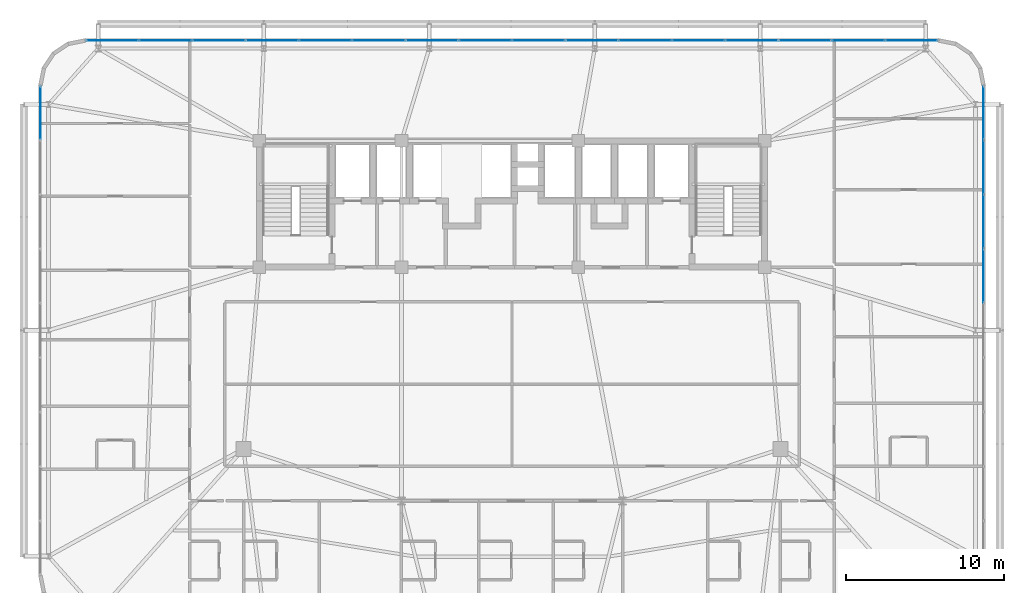
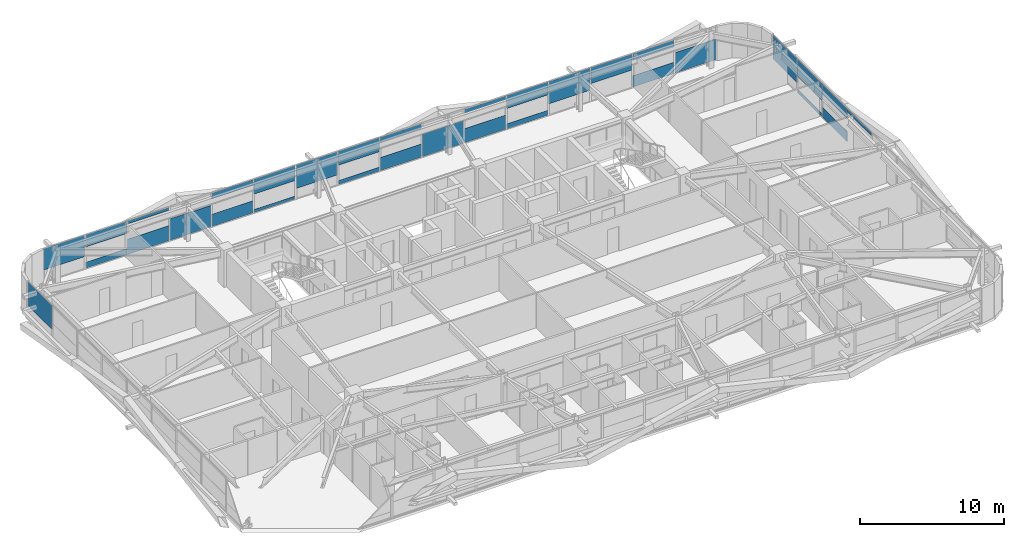
# One storey, part 43 of 59: 32 plates, 3 elements without a shape of their own.
"""IFC4 building model written with IfcOpenShell, lengths in metres."""

from ifc_helpers import new_model, si_unit, direction, frame, origin, origin_2d, place, context, subcontext, project, spatial, rectangle, extrude, source, transform, mapped, material, layer, layer_set, type_object, element, aggregate, save


model = new_model("IFC4")

# Units and contexts
model_context = context("Model", 3, precision=1e-05, world=origin(), true_north=direction((0.0, 1.0)))
body_context = subcontext(model_context, "Body", "Model", "MODEL_VIEW")
ifc_project = project(units=[si_unit("LENGTHUNIT", "METRE"), si_unit("AREAUNIT", "SQUARE_METRE"), si_unit("VOLUMEUNIT", "CUBIC_METRE"), si_unit("PLANEANGLEUNIT", "RADIAN"), si_unit("MASSUNIT", "GRAM", prefix="KILO")], contexts=[model_context])

# Site, building, storey
site_placement = place(None, origin())
site = spatial("IfcSite", under=ifc_project, at=site_placement, CompositionType="ELEMENT")
building_placement = place(site_placement, origin())
building = spatial("IfcBuilding", under=site, at=building_placement, Name="Taldren Reach Tower", CompositionType="ELEMENT")
storey_placement = place(building_placement, frame((0.0, 0.0, 23.10009765625)))
storey = spatial("IfcBuildingStorey", under=building, at=storey_placement, Name="L06", CompositionType="ELEMENT", Elevation=23.10009765625)

# Curtain wall, plates
ifc_material_1 = material(Name="Aluminium and Low-E Glass Unitised System", Category="aluminium")
ifc_layer_1 = layer(ifc_material_1, 0.159912109375)
ifc_layer_set_1 = layer_set([ifc_layer_1], Name="Aluminium and Low-E Glass Unitised System")
curtain_wall_type = type_object("IfcCurtainWallType", Name="CW-SYS-2", PredefinedType="NOTDEFINED", material=ifc_layer_set_1)
curtain_wall_1_placement = place(storey_placement, origin())
curtain_wall_1 = element("IfcCurtainWall", 1, at=curtain_wall_1_placement, inside=storey, type_object=curtain_wall_type, Name="Unitised curtain wall CW-L06-N", PredefinedType="NOTDEFINED")
ifc_material_2 = material(Name="Solar-Control Double Glazed IGU", Category="glass")
ifc_layer_2 = layer(ifc_material_2, 0.031982421875)
ifc_layer_set_2 = layer_set([ifc_layer_2], Name="Solar-Control Double Glazed IGU")
plate_type = type_object("IfcPlateType", Name="CW-PNL-IGU32", PredefinedType="CURTAIN_PANEL", material=ifc_layer_set_2)
shared_shape_1 = source(origin(), body_context, "Body", "SweptSolid", [
    extrude(rectangle(XDim=3.277587890625, YDim=0.031982421875, at=origin_2d()), origin(), (0.0, 0.0, 1.0), 1.73876953125),
])
plate_1_placement = place(storey_placement, frame((60.296142578125, 38.360107421875, 0.054931640625), z_axis=(0.0, 0.0, 1.0), x_axis=(-1.0, 0.0, 0.0)))
plate_1 = element("IfcPlate", 2, at=plate_1_placement, type_object=plate_type, Name="CW-2 panel 1.1 part 1", PredefinedType="CURTAIN_PANEL", context=body_context, shape_type="MappedRepresentation", body=[
    mapped(shared_shape_1, transform((0.0, 0.0, 0.0), scale=1.0)),
])
shared_shape_2 = source(origin(), body_context, "Body", "SweptSolid", [
    extrude(rectangle(XDim=3.31005859375, YDim=0.031982421875, at=origin_2d()), origin(), (0.0, 0.0, 1.0), 0.9560546875),
])
plate_2_placement = place(storey_placement, frame((56.9375, 38.360107421875, 0.054931640625), z_axis=(0.0, 0.0, 1.0), x_axis=(-1.0, 0.0, 0.0)))
plate_2 = element("IfcPlate", 3, at=plate_2_placement, type_object=plate_type, Name="CW-2 panel 2.1 part 1", PredefinedType="CURTAIN_PANEL", context=body_context, shape_type="MappedRepresentation", body=[
    mapped(shared_shape_2, transform((0.0, 0.0, 0.0), scale=1.0)),
])
shared_shape_3 = source(origin(), body_context, "Body", "SweptSolid", [
    extrude(rectangle(XDim=3.31005859375, YDim=0.031982421875, at=origin_2d()), origin(), (0.0, 0.0, 1.0), 0.562744140625),
])
plate_3_placement = place(storey_placement, frame((56.9375, 38.360107421875, 2.31201171875), z_axis=(0.0, 0.0, 1.0), x_axis=(-1.0, 0.0, 0.0)))
plate_3 = element("IfcPlate", 4, at=plate_3_placement, type_object=plate_type, Name="CW-2 panel 2.1 part 2", PredefinedType="CURTAIN_PANEL", context=body_context, shape_type="MappedRepresentation", body=[
    mapped(shared_shape_3, transform((0.0, 0.0, 0.0), scale=1.0)),
])
shared_shape_4 = source(origin(), body_context, "Body", "SweptSolid", [
    extrude(rectangle(XDim=3.31005859375, YDim=0.031982421875, at=origin_2d()), origin(), (0.0, 0.0, 1.0), 1.345458984375),
])
plate_4_placement = place(storey_placement, frame((53.5625, 38.360107421875, 1.529296875), z_axis=(0.0, 0.0, 1.0), x_axis=(-1.0, 0.0, 0.0)))
plate_4 = element("IfcPlate", 5, at=plate_4_placement, type_object=plate_type, Name="CW-2 panel 3.1 part 1", PredefinedType="CURTAIN_PANEL", context=body_context, shape_type="MappedRepresentation", body=[
    mapped(shared_shape_4, transform((0.0, 0.0, 0.0), scale=1.0)),
])
shared_shape_5 = source(origin(), body_context, "Body", "SweptSolid", [
    extrude(rectangle(XDim=3.31005859375, YDim=0.031982421875, at=origin_2d()), origin(), (0.0, 0.0, 1.0), 1.881103515625),
])
plate_5_placement = place(storey_placement, frame((50.1875, 38.360107421875, 0.99365234375), z_axis=(0.0, 0.0, 1.0), x_axis=(-1.0, 0.0, 0.0)))
plate_5 = element("IfcPlate", 6, at=plate_5_placement, type_object=plate_type, Name="CW-2 panel 4.1 part 1", PredefinedType="CURTAIN_PANEL", context=body_context, shape_type="MappedRepresentation", body=[
    mapped(shared_shape_5, transform((0.0, 0.0, 0.0), scale=1.0)),
])
shared_shape_6 = source(origin(), body_context, "Body", "SweptSolid", [
    extrude(rectangle(XDim=3.31005859375, YDim=0.031982421875, at=origin_2d()), origin(), (0.0, 0.0, 1.0), 0.42041015625),
])
plate_6_placement = place(storey_placement, frame((46.8125, 38.360107421875, 0.054931640625), z_axis=(0.0, 0.0, 1.0), x_axis=(-1.0, 0.0, 0.0)))
plate_6 = element("IfcPlate", 7, at=plate_6_placement, type_object=plate_type, Name="CW-2 panel 5.1 part 1", PredefinedType="CURTAIN_PANEL", context=body_context, shape_type="MappedRepresentation", body=[
    mapped(shared_shape_6, transform((0.0, 0.0, 0.0), scale=1.0)),
])
shared_shape_7 = source(origin(), body_context, "Body", "SweptSolid", [
    extrude(rectangle(XDim=3.31005859375, YDim=0.031982421875, at=origin_2d()), origin(), (0.0, 0.0, 1.0), 1.098388671875),
])
plate_7_placement = place(storey_placement, frame((46.8125, 38.360107421875, 1.7763671875), z_axis=(0.0, 0.0, 1.0), x_axis=(-1.0, 0.0, 0.0)))
plate_7 = element("IfcPlate", 8, at=plate_7_placement, type_object=plate_type, Name="CW-2 panel 5.1 part 2", PredefinedType="CURTAIN_PANEL", context=body_context, shape_type="MappedRepresentation", body=[
    mapped(shared_shape_7, transform((0.0, 0.0, 0.0), scale=1.0)),
])
shared_shape_8 = source(origin(), body_context, "Body", "SweptSolid", [
    extrude(rectangle(XDim=3.31005859375, YDim=0.031982421875, at=origin_2d()), origin(), (0.0, 0.0, 1.0), 1.203125),
])
plate_8_placement = place(storey_placement, frame((43.4375, 38.360107421875, 0.054931640625), z_axis=(0.0, 0.0, 1.0), x_axis=(-1.0, 0.0, 0.0)))
plate_8 = element("IfcPlate", 9, at=plate_8_placement, type_object=plate_type, Name="CW-2 panel 6.1 part 1", PredefinedType="CURTAIN_PANEL", context=body_context, shape_type="MappedRepresentation", body=[
    mapped(shared_shape_8, transform((0.0, 0.0, 0.0), scale=1.0)),
])
shared_shape_9 = source(origin(), body_context, "Body", "SweptSolid", [
    extrude(rectangle(XDim=3.31005859375, YDim=0.031982421875, at=origin_2d()), origin(), (0.0, 0.0, 1.0), 0.31591796875),
])
plate_9_placement = place(storey_placement, frame((43.4375, 38.360107421875, 2.55908203125), z_axis=(0.0, 0.0, 1.0), x_axis=(-1.0, 0.0, 0.0)))
plate_9 = element("IfcPlate", 10, at=plate_9_placement, type_object=plate_type, Name="CW-2 panel 6.1 part 2", PredefinedType="CURTAIN_PANEL", context=body_context, shape_type="MappedRepresentation", body=[
    mapped(shared_shape_9, transform((0.0, 0.0, 0.0), scale=1.0)),
])
shared_shape_10 = source(origin(), body_context, "Body", "SweptSolid", [
    extrude(rectangle(XDim=3.31005859375, YDim=0.031982421875, at=origin_2d()), origin(), (0.0, 0.0, 1.0), 1.9033203125),
])
plate_10_placement = place(storey_placement, frame((40.0625, 38.360107421875, 0.054931640625), z_axis=(0.0, 0.0, 1.0), x_axis=(-1.0, 0.0, 0.0)))
plate_10 = element("IfcPlate", 11, at=plate_10_placement, type_object=plate_type, Name="CW-2 panel 7.1 part 1", PredefinedType="CURTAIN_PANEL", context=body_context, shape_type="MappedRepresentation", body=[
    mapped(shared_shape_10, transform((0.0, 0.0, 0.0), scale=1.0)),
])
shared_shape_11 = source(origin(), body_context, "Body", "SweptSolid", [
    extrude(rectangle(XDim=3.31005859375, YDim=0.031982421875, at=origin_2d()), origin(), (0.0, 0.0, 1.0), 1.120849609375),
])
plate_11_placement = place(storey_placement, frame((36.6875, 38.360107421875, 0.0546875), z_axis=(0.0, 0.0, 1.0), x_axis=(-1.0, 0.0, 0.0)))
plate_11 = element("IfcPlate", 12, at=plate_11_placement, type_object=plate_type, Name="CW-2 panel 8.1 part 1", PredefinedType="CURTAIN_PANEL", context=body_context, shape_type="MappedRepresentation", body=[
    mapped(shared_shape_11, transform((0.0, 0.0, 0.0), scale=1.0)),
])
shared_shape_12 = source(origin(), body_context, "Body", "SweptSolid", [
    extrude(rectangle(XDim=3.31005859375, YDim=0.031982421875, at=origin_2d()), origin(), (0.0, 0.0, 1.0), 0.398193359375),
])
plate_12_placement = place(storey_placement, frame((36.6875, 38.360107421875, 2.4765625), z_axis=(0.0, 0.0, 1.0), x_axis=(-1.0, 0.0, 0.0)))
plate_12 = element("IfcPlate", 13, at=plate_12_placement, type_object=plate_type, Name="CW-2 panel 8.1 part 2", PredefinedType="CURTAIN_PANEL", context=body_context, shape_type="MappedRepresentation", body=[
    mapped(shared_shape_12, transform((0.0, 0.0, 0.0), scale=1.0)),
])
shared_shape_13 = source(origin(), body_context, "Body", "SweptSolid", [
    extrude(rectangle(XDim=3.31005859375, YDim=0.031982421875, at=origin_2d()), origin(), (0.0, 0.0, 1.0), 0.338134765625),
])
plate_13_placement = place(storey_placement, frame((33.3125, 38.360107421875, 0.05517578125), z_axis=(0.0, 0.0, 1.0), x_axis=(-1.0, 0.0, 0.0)))
plate_13 = element("IfcPlate", 14, at=plate_13_placement, type_object=plate_type, Name="CW-2 panel 9.1 part 1", PredefinedType="CURTAIN_PANEL", context=body_context, shape_type="MappedRepresentation", body=[
    mapped(shared_shape_13, transform((0.0, 0.0, 0.0), scale=1.0)),
])
shared_shape_14 = source(origin(), body_context, "Body", "SweptSolid", [
    extrude(rectangle(XDim=3.31005859375, YDim=0.031982421875, at=origin_2d()), origin(), (0.0, 0.0, 1.0), 1.1806640625),
])
plate_14_placement = place(storey_placement, frame((33.3125, 38.360107421875, 1.694091796875), z_axis=(0.0, 0.0, 1.0), x_axis=(-1.0, 0.0, 0.0)))
plate_14 = element("IfcPlate", 15, at=plate_14_placement, type_object=plate_type, Name="CW-2 panel 9.1 part 2", PredefinedType="CURTAIN_PANEL", context=body_context, shape_type="MappedRepresentation", body=[
    mapped(shared_shape_14, transform((0.0, 0.0, 0.0), scale=1.0)),
])
shared_shape_15 = source(origin(), body_context, "Body", "SweptSolid", [
    extrude(rectangle(XDim=3.31005859375, YDim=0.031982421875, at=origin_2d()), origin(), (0.0, 0.0, 1.0), 1.96337890625),
])
plate_15_placement = place(storey_placement, frame((29.9375, 38.360107421875, 0.91162109375), z_axis=(0.0, 0.0, 1.0), x_axis=(-1.0, 0.0, 0.0)))
plate_15 = element("IfcPlate", 16, at=plate_15_placement, type_object=plate_type, Name="CW-2 panel 10.1 part 1", PredefinedType="CURTAIN_PANEL", context=body_context, shape_type="MappedRepresentation", body=[
    mapped(shared_shape_15, transform((0.0, 0.0, 0.0), scale=1.0)),
])
shared_shape_16 = source(origin(), body_context, "Body", "SweptSolid", [
    extrude(rectangle(XDim=3.31005859375, YDim=0.031982421875, at=origin_2d()), origin(), (0.0, 0.0, 1.0), 0.255859375),
])
plate_16_placement = place(storey_placement, frame((26.5625, 38.360107421875, 0.054931640625), z_axis=(0.0, 0.0, 1.0), x_axis=(-1.0, 0.0, 0.0)))
plate_16 = element("IfcPlate", 17, at=plate_16_placement, type_object=plate_type, Name="CW-2 panel 11.1 part 1", PredefinedType="CURTAIN_PANEL", context=body_context, shape_type="MappedRepresentation", body=[
    mapped(shared_shape_16, transform((0.0, 0.0, 0.0), scale=1.0)),
])
shared_shape_17 = source(origin(), body_context, "Body", "SweptSolid", [
    extrude(rectangle(XDim=3.31005859375, YDim=0.031982421875, at=origin_2d()), origin(), (0.0, 0.0, 1.0), 1.26318359375),
])
plate_17_placement = place(storey_placement, frame((26.5625, 38.360107421875, 1.61181640625), z_axis=(0.0, 0.0, 1.0), x_axis=(-1.0, 0.0, 0.0)))
plate_17 = element("IfcPlate", 18, at=plate_17_placement, type_object=plate_type, Name="CW-2 panel 11.1 part 2", PredefinedType="CURTAIN_PANEL", context=body_context, shape_type="MappedRepresentation", body=[
    mapped(shared_shape_17, transform((0.0, 0.0, 0.0), scale=1.0)),
])
shared_shape_18 = source(origin(), body_context, "Body", "SweptSolid", [
    extrude(rectangle(XDim=3.31005859375, YDim=0.031982421875, at=origin_2d()), origin(), (0.0, 0.0, 1.0), 1.03857421875),
])
plate_18_placement = place(storey_placement, frame((23.1875, 38.360107421875, 0.054931640625), z_axis=(0.0, 0.0, 1.0), x_axis=(-1.0, 0.0, 0.0)))
plate_18 = element("IfcPlate", 19, at=plate_18_placement, type_object=plate_type, Name="CW-2 panel 12.1 part 1", PredefinedType="CURTAIN_PANEL", context=body_context, shape_type="MappedRepresentation", body=[
    mapped(shared_shape_18, transform((0.0, 0.0, 0.0), scale=1.0)),
])
shared_shape_19 = source(origin(), body_context, "Body", "SweptSolid", [
    extrude(rectangle(XDim=3.31005859375, YDim=0.031982421875, at=origin_2d()), origin(), (0.0, 0.0, 1.0), 0.48046875),
])
plate_19_placement = place(storey_placement, frame((23.1875, 38.360107421875, 2.394287109375), z_axis=(0.0, 0.0, 1.0), x_axis=(-1.0, 0.0, 0.0)))
plate_19 = element("IfcPlate", 20, at=plate_19_placement, type_object=plate_type, Name="CW-2 panel 12.1 part 2", PredefinedType="CURTAIN_PANEL", context=body_context, shape_type="MappedRepresentation", body=[
    mapped(shared_shape_19, transform((0.0, 0.0, 0.0), scale=1.0)),
])
shared_shape_20 = source(origin(), body_context, "Body", "SweptSolid", [
    extrude(rectangle(XDim=3.31005859375, YDim=0.031982421875, at=origin_2d()), origin(), (0.0, 0.0, 1.0), 1.821044921875),
])
plate_20_placement = place(storey_placement, frame((19.8125, 38.360107421875, 0.0546875), z_axis=(0.0, 0.0, 1.0), x_axis=(-1.0, 0.0, 0.0)))
plate_20 = element("IfcPlate", 21, at=plate_20_placement, type_object=plate_type, Name="CW-2 panel 13.1 part 1", PredefinedType="CURTAIN_PANEL", context=body_context, shape_type="MappedRepresentation", body=[
    mapped(shared_shape_20, transform((0.0, 0.0, 0.0), scale=1.0)),
])
shared_shape_21 = source(origin(), body_context, "Body", "SweptSolid", [
    extrude(rectangle(XDim=3.31005859375, YDim=0.031982421875, at=origin_2d()), origin(), (0.0, 0.0, 1.0), 1.285400390625),
])
plate_21_placement = place(storey_placement, frame((16.4375, 38.360107421875, 0.0546875), z_axis=(0.0, 0.0, 1.0), x_axis=(-1.0, 0.0, 0.0)))
plate_21 = element("IfcPlate", 22, at=plate_21_placement, type_object=plate_type, Name="CW-2 panel 14.1 part 1", PredefinedType="CURTAIN_PANEL", context=body_context, shape_type="MappedRepresentation", body=[
    mapped(shared_shape_21, transform((0.0, 0.0, 0.0), scale=1.0)),
])
shared_shape_22 = source(origin(), body_context, "Body", "SweptSolid", [
    extrude(rectangle(XDim=3.31005859375, YDim=0.031982421875, at=origin_2d()), origin(), (0.0, 0.0, 1.0), 0.233642578125),
])
plate_22_placement = place(storey_placement, frame((16.4375, 38.360107421875, 2.64111328125), z_axis=(0.0, 0.0, 1.0), x_axis=(-1.0, 0.0, 0.0)))
plate_22 = element("IfcPlate", 23, at=plate_22_placement, type_object=plate_type, Name="CW-2 panel 14.1 part 2", PredefinedType="CURTAIN_PANEL", context=body_context, shape_type="MappedRepresentation", body=[
    mapped(shared_shape_22, transform((0.0, 0.0, 0.0), scale=1.0)),
])
shared_shape_23 = source(origin(), body_context, "Body", "SweptSolid", [
    extrude(rectangle(XDim=3.31005859375, YDim=0.031982421875, at=origin_2d()), origin(), (0.0, 0.0, 1.0), 0.5029296875),
])
plate_23_placement = place(storey_placement, frame((13.0625, 38.360107421875, 0.054931640625), z_axis=(0.0, 0.0, 1.0), x_axis=(-1.0, 0.0, 0.0)))
plate_23 = element("IfcPlate", 24, at=plate_23_placement, type_object=plate_type, Name="CW-2 panel 15.1 part 1", PredefinedType="CURTAIN_PANEL", context=body_context, shape_type="MappedRepresentation", body=[
    mapped(shared_shape_23, transform((0.0, 0.0, 0.0), scale=1.0)),
])
shared_shape_24 = source(origin(), body_context, "Body", "SweptSolid", [
    extrude(rectangle(XDim=3.31005859375, YDim=0.031982421875, at=origin_2d()), origin(), (0.0, 0.0, 1.0), 1.01611328125),
])
plate_24_placement = place(storey_placement, frame((13.0625, 38.360107421875, 1.85888671875), z_axis=(0.0, 0.0, 1.0), x_axis=(-1.0, 0.0, 0.0)))
plate_24 = element("IfcPlate", 25, at=plate_24_placement, type_object=plate_type, Name="CW-2 panel 15.1 part 2", PredefinedType="CURTAIN_PANEL", context=body_context, shape_type="MappedRepresentation", body=[
    mapped(shared_shape_24, transform((0.0, 0.0, 0.0), scale=1.0)),
])
shared_shape_25 = source(origin(), body_context, "Body", "SweptSolid", [
    extrude(rectangle(XDim=3.277587890625, YDim=0.031982421875, at=origin_2d()), origin(), (0.0, 0.0, 1.0), 1.798583984375),
])
plate_25_placement = place(storey_placement, frame((9.703857421875, 38.360107421875, 1.076171875), z_axis=(0.0, 0.0, 1.0), x_axis=(-1.0, 0.0, 0.0)))
plate_25 = element("IfcPlate", 26, at=plate_25_placement, type_object=plate_type, Name="CW-2 panel 16.1 part 1", PredefinedType="CURTAIN_PANEL", context=body_context, shape_type="MappedRepresentation", body=[
    mapped(shared_shape_25, transform((0.0, 0.0, 0.0), scale=1.0)),
])
aggregate(curtain_wall_1, [plate_1, plate_2, plate_3, plate_4, plate_5, plate_6, plate_7, plate_8, plate_9, plate_10, plate_11, plate_12, plate_13, plate_14, plate_15, plate_16, plate_17, plate_18, plate_19, plate_20, plate_21, plate_22, plate_23, plate_24, plate_25])

# Curtain wall, plate
curtain_wall_2_placement = place(storey_placement, origin())
curtain_wall_2 = element("IfcCurtainWall", 27, at=curtain_wall_2_placement, inside=storey, type_object=curtain_wall_type, Name="Unitised curtain wall CW-L06-W", PredefinedType="NOTDEFINED")
shared_shape_26 = source(origin(), body_context, "Body", "SweptSolid", [
    extrude(rectangle(XDim=3.346923828125, YDim=0.031982421875, at=origin_2d()), origin(), (0.0, 0.0, 1.0), 2.015380859375),
])
plate_26_placement = place(storey_placement, frame((5.139892578125, 33.761474609375, 0.859375), z_axis=(0.0, 0.0, 1.0), x_axis=(0.0, -1.0, 0.0)))
plate_26 = element("IfcPlate", 28, at=plate_26_placement, type_object=plate_type, Name="CW-2 panel 1.1 part 1", PredefinedType="CURTAIN_PANEL", context=body_context, shape_type="MappedRepresentation", body=[
    mapped(shared_shape_26, transform((0.0, 0.0, 0.0), scale=1.0)),
])
aggregate(curtain_wall_2, [plate_26])

# Curtain wall, plates
curtain_wall_3_placement = place(storey_placement, origin())
curtain_wall_3 = element("IfcCurtainWall", 29, at=curtain_wall_3_placement, inside=storey, type_object=curtain_wall_type, Name="Unitised curtain wall CW-L06-E", PredefinedType="NOTDEFINED")
plate_27_placement = place(storey_placement, frame((64.860107421875, 33.761474609375, 0.859375), z_axis=(0.0, 0.0, 1.0), x_axis=(0.0, 1.0, 0.0)))
plate_27 = element("IfcPlate", 30, at=plate_27_placement, type_object=plate_type, Name="CW-2 panel 9.1 part 1", PredefinedType="CURTAIN_PANEL", context=body_context, shape_type="MappedRepresentation", body=[
    mapped(shared_shape_26, transform((0.0, 0.0, 0.0), scale=1.0)),
])
shared_shape_27 = source(origin(), body_context, "Body", "SweptSolid", [
    extrude(rectangle(XDim=3.37939453125, YDim=0.031982421875, at=origin_2d()), origin(), (0.0, 0.0, 1.0), 0.288330078125),
])
plate_28_placement = place(storey_placement, frame((64.860107421875, 30.333251953125, 0.0546875), z_axis=(0.0, 0.0, 1.0), x_axis=(0.0, 1.0, 0.0)))
plate_28 = element("IfcPlate", 31, at=plate_28_placement, type_object=plate_type, Name="CW-2 panel 8.1 part 1", PredefinedType="CURTAIN_PANEL", context=body_context, shape_type="MappedRepresentation", body=[
    mapped(shared_shape_27, transform((0.0, 0.0, 0.0), scale=1.0)),
])
shared_shape_28 = source(origin(), body_context, "Body", "SweptSolid", [
    extrude(rectangle(XDim=3.37939453125, YDim=0.031982421875, at=origin_2d()), origin(), (0.0, 0.0, 1.0), 1.43017578125),
])
plate_29_placement = place(storey_placement, frame((64.860107421875, 30.333251953125, 1.44482421875), z_axis=(0.0, 0.0, 1.0), x_axis=(0.0, 1.0, 0.0)))
plate_29 = element("IfcPlate", 32, at=plate_29_placement, type_object=plate_type, Name="CW-2 panel 8.1 part 2", PredefinedType="CURTAIN_PANEL", context=body_context, shape_type="MappedRepresentation", body=[
    mapped(shared_shape_28, transform((0.0, 0.0, 0.0), scale=1.0)),
])
shared_shape_29 = source(origin(), body_context, "Body", "SweptSolid", [
    extrude(rectangle(XDim=3.37939453125, YDim=0.031982421875, at=origin_2d()), origin(), (0.0, 0.0, 1.0), 0.87353515625),
])
plate_30_placement = place(storey_placement, frame((64.860107421875, 26.888916015625, 0.054931640625), z_axis=(0.0, 0.0, 1.0), x_axis=(0.0, 1.0, 0.0)))
plate_30 = element("IfcPlate", 33, at=plate_30_placement, type_object=plate_type, Name="CW-2 panel 7.1 part 1", PredefinedType="CURTAIN_PANEL", context=body_context, shape_type="MappedRepresentation", body=[
    mapped(shared_shape_29, transform((0.0, 0.0, 0.0), scale=1.0)),
])
shared_shape_30 = source(origin(), body_context, "Body", "SweptSolid", [
    extrude(rectangle(XDim=3.37939453125, YDim=0.031982421875, at=origin_2d()), origin(), (0.0, 0.0, 1.0), 0.8447265625),
])
plate_31_placement = place(storey_placement, frame((64.860107421875, 26.888916015625, 2.030029296875), z_axis=(0.0, 0.0, 1.0), x_axis=(0.0, 1.0, 0.0)))
plate_31 = element("IfcPlate", 34, at=plate_31_placement, type_object=plate_type, Name="CW-2 panel 7.1 part 2", PredefinedType="CURTAIN_PANEL", context=body_context, shape_type="MappedRepresentation", body=[
    mapped(shared_shape_30, transform((0.0, 0.0, 0.0), scale=1.0)),
])
shared_shape_31 = source(origin(), body_context, "Body", "SweptSolid", [
    extrude(rectangle(XDim=3.37939453125, YDim=0.031982421875, at=origin_2d()), origin(), (0.0, 0.0, 1.0), 0.259521484375),
])
plate_32_placement = place(storey_placement, frame((64.860107421875, 23.4443359375, 2.615234375), z_axis=(0.0, 0.0, 1.0), x_axis=(0.0, 1.0, 0.0)))
plate_32 = element("IfcPlate", 35, at=plate_32_placement, type_object=plate_type, Name="CW-2 panel 6.1 part 2", PredefinedType="CURTAIN_PANEL", context=body_context, shape_type="MappedRepresentation", body=[
    mapped(shared_shape_31, transform((0.0, 0.0, 0.0), scale=1.0)),
])
aggregate(curtain_wall_3, [plate_32, plate_30, plate_31, plate_28, plate_29, plate_27])

save(model, "model.ifc")
